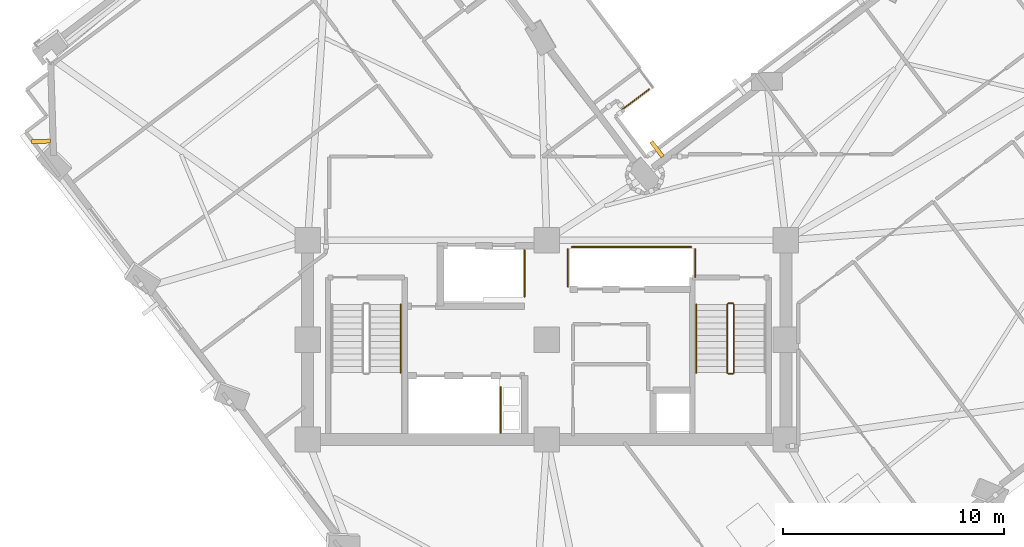
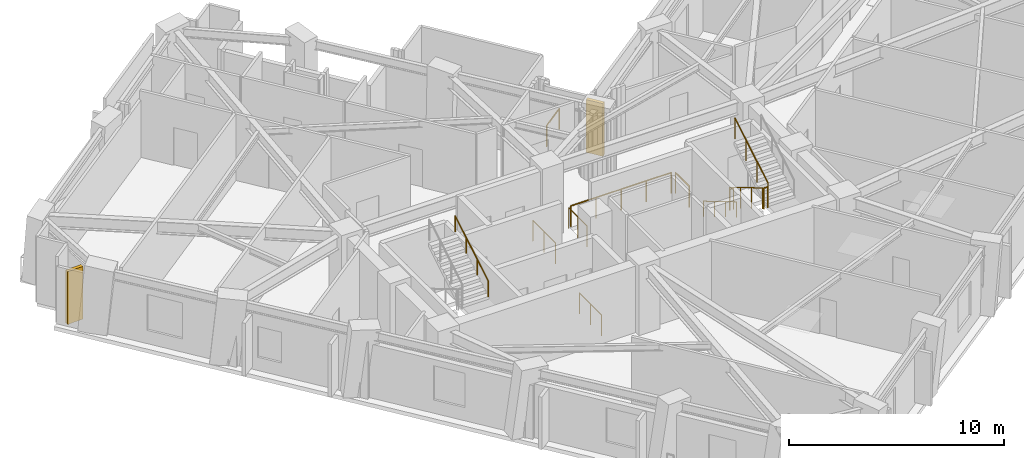
# One storey, part 12 of 15: 12 railings, 2 shading devices.
"""IFC4 building model written with IfcOpenShell, lengths in metres."""

from ifc_helpers import new_model, si_unit, direction, frame, origin, origin_2d, place, context, subcontext, project, spatial, rectangle, circle, extrude, material, layer, layer_set, type_object, element, save


model = new_model("IFC4")

# Units and contexts
model_context = context("Model", 3, precision=1e-05, world=origin(), true_north=direction((0.0, 1.0)))
body_context = subcontext(model_context, "Body", "Model", "MODEL_VIEW")
ifc_project = project(units=[si_unit("LENGTHUNIT", "METRE"), si_unit("AREAUNIT", "SQUARE_METRE"), si_unit("VOLUMEUNIT", "CUBIC_METRE"), si_unit("PLANEANGLEUNIT", "RADIAN"), si_unit("MASSUNIT", "GRAM", prefix="KILO")], contexts=[model_context])

# Site, building, storey
site_placement = place(None, origin())
site = spatial("IfcSite", under=ifc_project, at=site_placement, CompositionType="ELEMENT")
building_placement = place(site_placement, origin())
building = spatial("IfcBuilding", under=site, at=building_placement, Name="Gaonmaruhae Medical Tower", CompositionType="ELEMENT")
storey_placement = place(building_placement, frame((0.0, 0.0, 181.800048828125)))
storey = spatial("IfcBuildingStorey", under=building, at=storey_placement, Name="L43", CompositionType="ELEMENT", Elevation=181.800048828125)

# Railings
ifc_material_1 = material(Name="Stainless steel 316L and laminated safety glass", Category="steel")
ifc_layer = layer(ifc_material_1, 0.080078125)
ifc_layer_set = layer_set([ifc_layer], Name="Stainless steel 316L and laminated safety glass")
railing_type_1 = type_object("IfcRailingType", Name="GD-120 Outdoor Terrace Safety Glass & Steel Balustrade", PredefinedType="BALUSTRADE", material=ifc_layer_set)
railing_1_placement = place(storey_placement, frame((29.411376953125, 23.612548828125, 0.0)))
element("IfcRailing", 1, at=railing_1_placement, inside=storey, type_object=railing_type_1, Name="L43 Perimeter Slab Edge Safety Balustrade 12", PredefinedType="BALUSTRADE", context=body_context, shape_type="SweptSolid", body=[
    extrude(circle(Radius=0.02392578125, at=origin_2d()), frame((0.0, 0.0, 1.17578125), z_axis=(-0.798118916751, -0.602499954128, 0.0), x_axis=(0.602499954128, -0.798118916751, 0.0)), (0.0, 0.0, 1.0), 1.513916015625),
    extrude(circle(Radius=0.02099609375, at=origin_2d()), origin(), (0.0, 0.0, 1.0), 1.15185546875),
    extrude(circle(Radius=0.02099609375, at=origin_2d()), frame((-1.208251953125, -0.912109375, 0.0)), (0.0, 0.0, 1.0), 1.15185546875),
])
ifc_material_2 = material(Name="Stainless steel 304 handrail", Category="steel")
railing_type_2 = type_object("IfcRailingType", Name="HR-092 Continuous Stainless Steel Stair Handrail", PredefinedType="HANDRAIL", material=ifc_material_2)
railing_2_placement = place(storey_placement, frame((18.199951171875, 10.820068359375, 2.16650390625)))
element("IfcRailing", 2, at=railing_2_placement, inside=storey, type_object=railing_type_2, Name="L43 ST-01 stair handrail 2", PredefinedType="HANDRAIL", context=body_context, shape_type="SweptSolid", body=[
    extrude(circle(Radius=0.02392578125, at=origin_2d()), frame((0.0, 0.0, 0.8759765625), z_axis=(0.0, 0.859260807169, 0.511537745687), x_axis=(-1.0, 0.0, 0.0)), (0.0, 0.0, 1.0), 3.584228515625),
    extrude(circle(Radius=0.02099609375, at=origin_2d()), origin(), (0.0, 0.0, 1.0), 0.851806640625),
    extrude(circle(Radius=0.02099609375, at=origin_2d()), frame((0.0, 1.026611328125, 0.611083984375)), (0.0, 0.0, 1.0), 0.851806640625),
    extrude(circle(Radius=0.02099609375, at=origin_2d()), frame((0.0, 2.05322265625, 1.222412109375)), (0.0, 0.0, 1.0), 0.851806640625),
    extrude(circle(Radius=0.02099609375, at=origin_2d()), frame((0.0, 3.079833984375, 1.83349609375)), (0.0, 0.0, 1.0), 0.851806640625),
])
railing_3_placement = place(storey_placement, frame((31.550048828125, 13.89990234375, 0.16650390625)))
element("IfcRailing", 3, at=railing_3_placement, inside=storey, type_object=railing_type_2, Name="L43 ST-02 stair handrail 1", PredefinedType="HANDRAIL", context=body_context, shape_type="SweptSolid", body=[
    extrude(circle(Radius=0.02392578125, at=origin_2d()), frame((0.0, 0.0, 0.8759765625), z_axis=(0.0, -0.859260807169, 0.511537745687), x_axis=(1.0, 0.0, 0.0)), (0.0, 0.0, 1.0), 3.584228515625),
    extrude(circle(Radius=0.02099609375, at=origin_2d()), origin(), (0.0, 0.0, 1.0), 0.851806640625),
    extrude(circle(Radius=0.02099609375, at=origin_2d()), frame((0.0, -1.026611328125, 0.611083984375)), (0.0, 0.0, 1.0), 0.851806640625),
    extrude(circle(Radius=0.02099609375, at=origin_2d()), frame((0.0, -2.05322265625, 1.222412109375)), (0.0, 0.0, 1.0), 0.851806640625),
    extrude(circle(Radius=0.02099609375, at=origin_2d()), frame((0.0, -3.079833984375, 1.83349609375)), (0.0, 0.0, 1.0), 0.851806640625),
])

# Shading devices
ifc_material_3 = material(Name="Pigmented coral precast concrete C45/55", Category="concrete")
shading_device_type = type_object("IfcShadingDeviceType", Name="SD-FIN1 Tower Vertical Coral Precast Shading Fin", PredefinedType="USERDEFINED", material=ifc_material_3)
for number, where, z_axis, x_axis, name in (
    (4, (29.779052734375, 20.906982421875, 0.132568359375), (0.0, 0.0, 1.0), (0.798110023334, 0.602511734868, 0.0), "L43 Vertical Coral Precast Shading Fin EN03"),
    (5, (1.960693359375, 21.261474609375, 0.132568359375), (0.0, 0.0, 1.0), (-0.031968983922, 0.999488861402, 0.0), "L43 Vertical Coral Precast Shading Fin N03"),
):
    element("IfcShadingDevice", number, at=place(storey_placement, frame(where, z_axis=z_axis, x_axis=x_axis)), inside=storey, type_object=shading_device_type, Name=name, ObjectType="FIN", PredefinedType="USERDEFINED", context=body_context, shape_type="SweptSolid", body=[
        extrude(rectangle(XDim=0.179931640625, YDim=0.85009765625, at=origin_2d()), origin(), (0.0, 0.0, 1.0), 3.0),
    ])

# Railings
ifc_material_4 = material(Name="Stainless steel 304 balustrade", Category="steel")
railing_type_3 = type_object("IfcRailingType", Name="SG-112 Stair Well & Ramp Void Safety Balustrade", PredefinedType="BALUSTRADE", material=ifc_material_4)
railing_4_placement = place(storey_placement, frame((32.949951171875, 13.89990234375, 0.16650390625)))
element("IfcRailing", 6, at=railing_4_placement, inside=storey, type_object=railing_type_3, Name="L43 ST-02 stair guard 1", PredefinedType="BALUSTRADE", context=body_context, shape_type="SweptSolid", body=[
    extrude(circle(Radius=0.02392578125, at=origin_2d()), frame((0.0, 0.0, 1.17578125), z_axis=(0.0, -0.859260807169, 0.511537745687), x_axis=(1.0, 0.0, 0.0)), (0.0, 0.0, 1.0), 3.584228515625),
    extrude(circle(Radius=0.02099609375, at=origin_2d()), origin(), (0.0, 0.0, 1.0), 1.15185546875),
    extrude(circle(Radius=0.02099609375, at=origin_2d()), frame((0.0, -1.026611328125, 0.611083984375)), (0.0, 0.0, 1.0), 1.15185546875),
    extrude(circle(Radius=0.02099609375, at=origin_2d()), frame((0.0, -2.05322265625, 1.222412109375)), (0.0, 0.0, 1.0), 1.15185546875),
    extrude(circle(Radius=0.02099609375, at=origin_2d()), frame((0.0, -3.079833984375, 1.83349609375)), (0.0, 0.0, 1.0), 1.15185546875),
])
railing_5_placement = place(storey_placement, frame((33.0, 10.77001953125, 2.0)))
element("IfcRailing", 7, at=railing_5_placement, inside=storey, type_object=railing_type_3, Name="L43 ST-02 stair guard 2", PredefinedType="BALUSTRADE", context=body_context, shape_type="SweptSolid", body=[
    extrude(circle(Radius=0.02392578125, at=origin_2d()), frame((0.0, 0.0, 1.17578125), z_axis=(1.0, 0.0, 0.0), x_axis=(0.0, 1.0, 0.0)), (0.0, 0.0, 1.0), 0.199951171875),
    extrude(circle(Radius=0.02099609375, at=origin_2d()), origin(), (0.0, 0.0, 1.0), 1.15185546875),
    extrude(circle(Radius=0.02099609375, at=origin_2d()), frame((0.199951171875, 0.0, 0.0)), (0.0, 0.0, 1.0), 1.15185546875),
])
railing_6_placement = place(storey_placement, frame((33.25, 10.820068359375, 2.16650390625)))
element("IfcRailing", 8, at=railing_6_placement, inside=storey, type_object=railing_type_3, Name="L43 ST-02 stair guard 3", PredefinedType="BALUSTRADE", context=body_context, shape_type="SweptSolid", body=[
    extrude(circle(Radius=0.02392578125, at=origin_2d()), frame((0.0, 0.0, 1.17578125), z_axis=(0.0, 0.859260807169, 0.511537745687), x_axis=(-1.0, 0.0, 0.0)), (0.0, 0.0, 1.0), 3.584228515625),
    extrude(circle(Radius=0.02099609375, at=origin_2d()), origin(), (0.0, 0.0, 1.0), 1.15185546875),
    extrude(circle(Radius=0.02099609375, at=origin_2d()), frame((0.0, 1.026611328125, 0.611083984375)), (0.0, 0.0, 1.0), 1.15185546875),
    extrude(circle(Radius=0.02099609375, at=origin_2d()), frame((0.0, 2.05322265625, 1.222412109375)), (0.0, 0.0, 1.0), 1.15185546875),
    extrude(circle(Radius=0.02099609375, at=origin_2d()), frame((0.0, 3.079833984375, 1.83349609375)), (0.0, 0.0, 1.0), 1.15185546875),
])
railing_7_placement = place(storey_placement, frame((33.0, 13.949951171875, 0.0)))
element("IfcRailing", 9, at=railing_7_placement, inside=storey, type_object=railing_type_3, Name="L43 ST-02 stair guard 4", PredefinedType="BALUSTRADE", context=body_context, shape_type="SweptSolid", body=[
    extrude(circle(Radius=0.02392578125, at=origin_2d()), frame((0.0, 0.0, 1.17578125), z_axis=(1.0, 0.0, 0.0), x_axis=(0.0, 1.0, 0.0)), (0.0, 0.0, 1.0), 0.199951171875),
    extrude(circle(Radius=0.02099609375, at=origin_2d()), origin(), (0.0, 0.0, 1.0), 1.15185546875),
    extrude(circle(Radius=0.02099609375, at=origin_2d()), frame((0.199951171875, 0.0, 0.0)), (0.0, 0.0, 1.0), 1.15185546875),
])
railing_8_placement = place(storey_placement, frame((22.719970703125, 10.159912109375, 0.0)))
element("IfcRailing", 10, at=railing_8_placement, inside=storey, type_object=railing_type_3, Name="L43 Shaft Edge Safety Guard 16", PredefinedType="BALUSTRADE", context=body_context, shape_type="SweptSolid", body=[
    extrude(circle(Radius=0.02392578125, at=origin_2d()), frame((0.0, 0.0, 1.17578125), z_axis=(0.0, -1.0, 0.0), x_axis=(1.0, 0.0, 0.0)), (0.0, 0.0, 1.0), 2.06494140625),
    extrude(circle(Radius=0.02099609375, at=origin_2d()), origin(), (0.0, 0.0, 1.0), 1.15185546875),
    extrude(circle(Radius=0.02099609375, at=origin_2d()), frame((0.0, -1.032470703125, 0.0)), (0.0, 0.0, 1.0), 1.15185546875),
    extrude(circle(Radius=0.02099609375, at=origin_2d()), frame((0.0, -2.06494140625, 0.0)), (0.0, 0.0, 1.0), 1.15185546875),
])
railing_9_placement = place(storey_placement, frame((23.794921875, 16.35498046875, 0.0)))
element("IfcRailing", 11, at=railing_9_placement, inside=storey, type_object=railing_type_3, Name="L43 Shaft Edge Safety Guard 17", PredefinedType="BALUSTRADE", context=body_context, shape_type="SweptSolid", body=[
    extrude(circle(Radius=0.02392578125, at=origin_2d()), frame((0.0, 0.0, 1.17578125), z_axis=(0.0, -1.0, 0.0), x_axis=(1.0, 0.0, 0.0)), (0.0, 0.0, 1.0), 2.10986328125),
    extrude(circle(Radius=0.02099609375, at=origin_2d()), origin(), (0.0, 0.0, 1.0), 1.15185546875),
    extrude(circle(Radius=0.02099609375, at=origin_2d()), frame((0.0, -1.054931640625, 0.0)), (0.0, 0.0, 1.0), 1.15185546875),
    extrude(circle(Radius=0.02099609375, at=origin_2d()), frame((0.0, -2.10986328125, 0.0)), (0.0, 0.0, 1.0), 1.15185546875),
])
railing_10_placement = place(storey_placement, frame((31.4951171875, 16.405029296875, 0.0)))
element("IfcRailing", 12, at=railing_10_placement, inside=storey, type_object=railing_type_3, Name="L43 Shaft Edge Safety Guard 18", PredefinedType="BALUSTRADE", context=body_context, shape_type="SweptSolid", body=[
    extrude(circle(Radius=0.02392578125, at=origin_2d()), frame((0.0, 0.0, 1.17578125), z_axis=(0.0, -1.0, 0.0), x_axis=(1.0, 0.0, 0.0)), (0.0, 0.0, 1.0), 1.284912109375),
    extrude(circle(Radius=0.02099609375, at=origin_2d()), origin(), (0.0, 0.0, 1.0), 1.15185546875),
    extrude(circle(Radius=0.02099609375, at=origin_2d()), frame((0.0, -1.284912109375, 0.0)), (0.0, 0.0, 1.0), 1.15185546875),
])
railing_11_placement = place(storey_placement, frame((25.7548828125, 14.695068359375, 0.0)))
element("IfcRailing", 13, at=railing_11_placement, inside=storey, type_object=railing_type_3, Name="L43 Shaft Edge Safety Guard 19", PredefinedType="BALUSTRADE", context=body_context, shape_type="SweptSolid", body=[
    extrude(circle(Radius=0.02392578125, at=origin_2d()), frame((0.0, 0.0, 1.17578125), z_axis=(0.0, 1.0, 0.0), x_axis=(-1.0, 0.0, 0.0)), (0.0, 0.0, 1.0), 1.7099609375),
    extrude(circle(Radius=0.02099609375, at=origin_2d()), origin(), (0.0, 0.0, 1.0), 1.15185546875),
    extrude(circle(Radius=0.02099609375, at=origin_2d()), frame((0.0, 0.85498046875, 0.0)), (0.0, 0.0, 1.0), 1.15185546875),
    extrude(circle(Radius=0.02099609375, at=origin_2d()), frame((0.0, 1.7099609375, 0.0)), (0.0, 0.0, 1.0), 1.15185546875),
])
railing_12_placement = place(storey_placement, frame((25.919921875, 16.4951171875, 0.0)))
element("IfcRailing", 14, at=railing_12_placement, inside=storey, type_object=railing_type_3, Name="L43 Shaft Edge Safety Guard 20", PredefinedType="BALUSTRADE", context=body_context, shape_type="SweptSolid", body=[
    extrude(circle(Radius=0.02392578125, at=origin_2d()), frame((0.0, 0.0, 1.17578125), z_axis=(1.0, 0.0, 0.0), x_axis=(0.0, 1.0, 0.0)), (0.0, 0.0, 1.0), 5.41015625),
    extrude(circle(Radius=0.02099609375, at=origin_2d()), origin(), (0.0, 0.0, 1.0), 1.15185546875),
    extrude(circle(Radius=0.02099609375, at=origin_2d()), frame((1.3525390625, 0.0, 0.0)), (0.0, 0.0, 1.0), 1.15185546875),
    extrude(circle(Radius=0.02099609375, at=origin_2d()), frame((2.705078125, 0.0, 0.0)), (0.0, 0.0, 1.0), 1.15185546875),
    extrude(circle(Radius=0.02099609375, at=origin_2d()), frame((4.0576171875, 0.0, 0.0)), (0.0, 0.0, 1.0), 1.15185546875),
    extrude(circle(Radius=0.02099609375, at=origin_2d()), frame((5.41015625, 0.0, 0.0)), (0.0, 0.0, 1.0), 1.15185546875),
])

save(model, "model.ifc")
